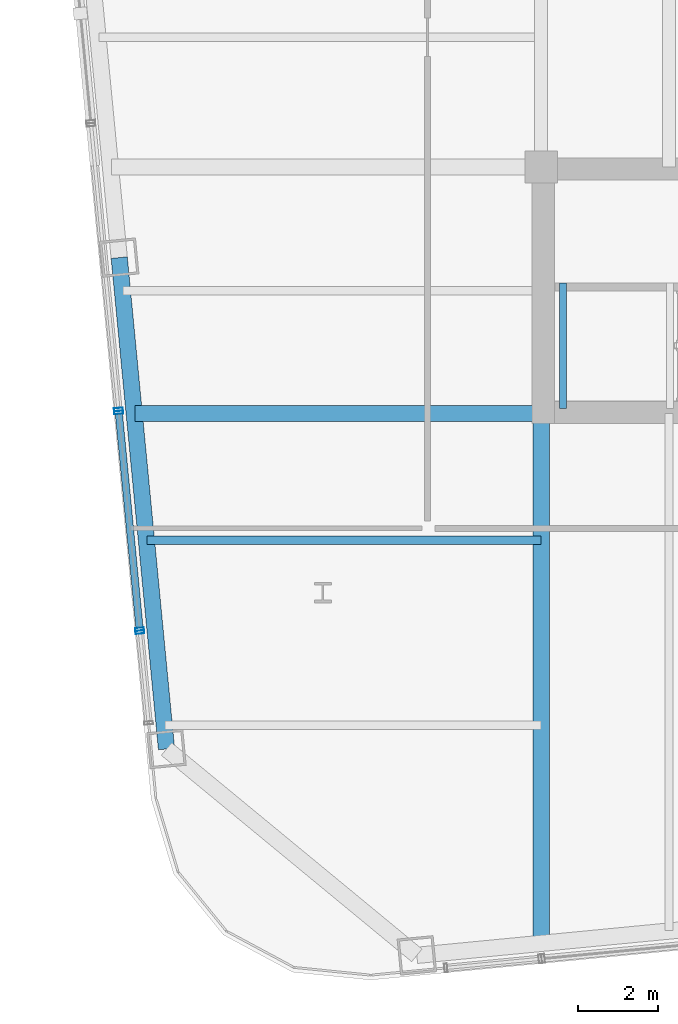
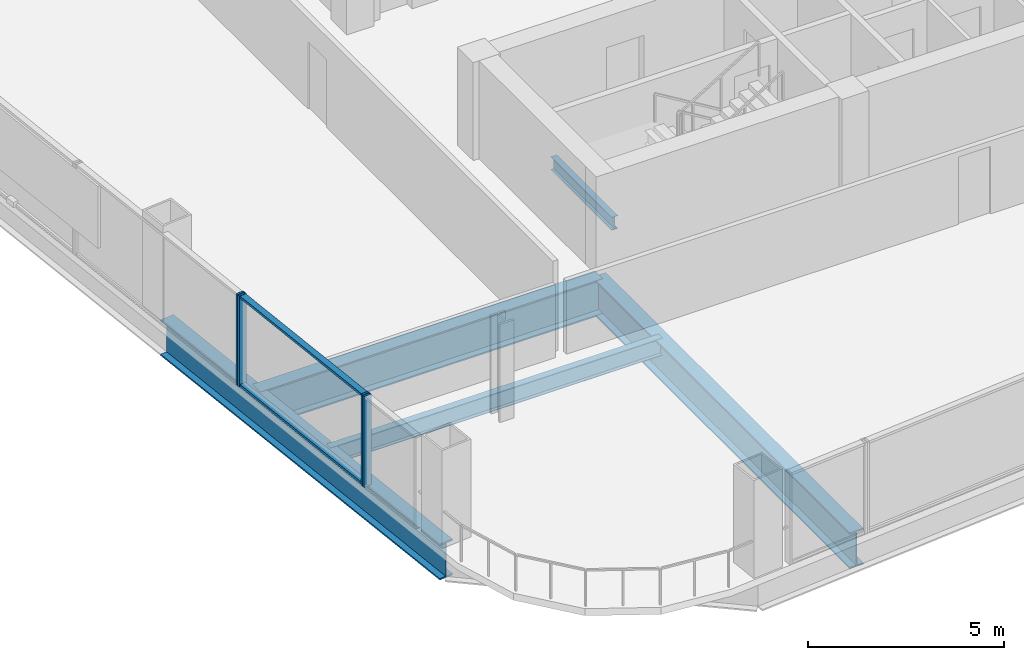
# One storey, part 3 of 26: 6 members, 5 beams, 3 elements without a shape of their own.
"""IFC4 building model written with IfcOpenShell, lengths in metres."""

from ifc_helpers import new_model, si_unit, direction, frame, origin, origin_2d, place, context, subcontext, project, spatial, hollow_rectangle, i_section, extrude, material, layer, layer_set, material_profile, profile_set, type_object, element, aggregate, save


model = new_model("IFC4")

# Units and contexts
model_context = context("Model", 3, precision=1e-05, world=origin(), true_north=direction((0.0, 1.0)))
body_context = subcontext(model_context, "Body", "Model", "MODEL_VIEW")
ifc_project = project(units=[si_unit("LENGTHUNIT", "METRE"), si_unit("AREAUNIT", "SQUARE_METRE"), si_unit("VOLUMEUNIT", "CUBIC_METRE"), si_unit("PLANEANGLEUNIT", "RADIAN"), si_unit("MASSUNIT", "GRAM", prefix="KILO")], contexts=[model_context])

# Site, building, storey
site_placement = place(None, origin())
site = spatial("IfcSite", under=ifc_project, at=site_placement, CompositionType="ELEMENT")
building_placement = place(site_placement, origin())
building = spatial("IfcBuilding", under=site, at=building_placement, Name="Qhalaya Broadcast Tower", CompositionType="ELEMENT")
storey_placement = place(building_placement, frame((0.0, 0.0, 72.5)))
storey = spatial("IfcBuildingStorey", under=building, at=storey_placement, Name="L20", CompositionType="ELEMENT", Elevation=72.5)

# Beams
ifc_material_1 = material(Name="Structural Steel ASTM A992 Grade 50", Category="steel")
ifc_material_profile_1 = material_profile(ifc_material_1, i_section(OverallWidth=0.2099609375, OverallDepth=0.535888671875, WebThickness=0.010986328125, FlangeThickness=0.017333984375, at=origin_2d()), Name="W21X68")
ifc_profile_set_1 = profile_set([ifc_material_profile_1], Name="Structural Steel ASTM A992 Grade 50")
beam_type_1 = type_object("IfcBeamType", Name="Composite Floor Joist J02", PredefinedType="JOIST", material=ifc_profile_set_1)
beam_1_placement = place(storey_placement, frame((-19.164794921875, -11.89990234375, -0.488037109375), z_axis=(1.0, 0.0, 0.0), x_axis=(0.0, 1.0, 0.0)))
element("IfcBeam", 1, at=beam_1_placement, inside=storey, type_object=beam_type_1, Name="L20 J02 L20-JWE2W-1", PredefinedType="JOIST", context=body_context, shape_type="SweptSolid", body=[
    extrude(i_section(OverallWidth=0.2099609375, OverallDepth=0.535888671875, WebThickness=0.010986328125, FlangeThickness=0.017333984375, at=origin_2d()), origin(), (0.0, 0.0, 1.0), 9.789794921875),
])
ifc_material_profile_2 = material_profile(ifc_material_1, i_section(OverallWidth=0.404052734375, OverallDepth=1.117919921875, WebThickness=0.026123046875, FlangeThickness=0.044921875, at=origin_2d()), Name="W44X335")
ifc_profile_set_2 = profile_set([ifc_material_profile_2], Name="Structural Steel ASTM A992 Grade 50")
beam_type_2 = type_object("IfcBeamType", Name="Podium Long-Span Primary Girder PG1", PredefinedType="USERDEFINED", material=ifc_profile_set_2)
beam_2_placement = place(storey_placement, frame((-19.861083984375, -4.875, -0.779052734375), z_axis=(0.095831866369, -0.995397535354, 0.0), x_axis=(0.995397535354, 0.095831866369, 0.0)))
element("IfcBeam", 2, at=beam_2_placement, inside=storey, type_object=beam_type_2, Name="L20 PG1 L20-SPR-15", ObjectType="GIRDER", PredefinedType="USERDEFINED", context=body_context, shape_type="SweptSolid", body=[
    extrude(i_section(OverallWidth=0.404052734375, OverallDepth=1.117919921875, WebThickness=0.026123046875, FlangeThickness=0.044921875, at=origin_2d()), origin(), (0.0, 0.0, 1.0), 12.2666015625),
])
beam_3_placement = place(storey_placement, frame((-9.375, -21.89501953125, -0.779052734375), z_axis=(0.0, 1.0, 0.0), x_axis=(-1.0, 0.0, 0.0)))
element("IfcBeam", 3, at=beam_3_placement, inside=storey, type_object=beam_type_2, Name="L20 PG1 L20-PGXS1-1", ObjectType="GIRDER", PredefinedType="USERDEFINED", context=body_context, shape_type="SweptSolid", body=[
    extrude(i_section(OverallWidth=0.404052734375, OverallDepth=1.117919921875, WebThickness=0.026123046875, FlangeThickness=0.044921875, at=origin_2d()), origin(), (0.0, 0.0, 1.0), 13.14501953125),
])
beam_4_placement = place(storey_placement, frame((-19.468017578125, -8.75, -0.779052734375), z_axis=(1.0, 0.0, 0.0), x_axis=(0.0, 1.0, 0.0)))
element("IfcBeam", 4, at=beam_4_placement, inside=storey, type_object=beam_type_2, Name="L20 PG1 L20-PGYW1-1", ObjectType="GIRDER", PredefinedType="USERDEFINED", context=body_context, shape_type="SweptSolid", body=[
    extrude(i_section(OverallWidth=0.404052734375, OverallDepth=1.117919921875, WebThickness=0.026123046875, FlangeThickness=0.044921875, at=origin_2d()), origin(), (0.0, 0.0, 1.0), 10.093017578125),
])

# Curtain wall, member
ifc_material_2 = material(Name="Fired Architectural Terracotta", Category="masonry")
ifc_layer_1 = layer(ifc_material_2, 0.219970703125, Name="Fired Architectural Terracotta")
ifc_layer_set_1 = layer_set([ifc_layer_1], Name="Fired Architectural Terracotta")
curtain_wall_type_1 = type_object("IfcCurtainWallType", Name="Block-Cap Unitised Terracotta Spandrel Wall CW-07", PredefinedType="NOTDEFINED", material=ifc_layer_set_1)
curtain_wall_1_placement = place(storey_placement, origin())
curtain_wall_1 = element("IfcCurtainWall", 5, at=curtain_wall_1_placement, inside=storey, type_object=curtain_wall_type_1, Name="L20 Unitised Curtain Wall L20-CW-W5", PredefinedType="NOTDEFINED")
ifc_material_3 = material(Name="Anodised Aluminium 6063-T6", Category="aluminium")
ifc_material_profile_3 = material_profile(ifc_material_3, hollow_rectangle(XDim=0.074951171875, YDim=0.219970703125, WallThickness=0.00390625, at=origin_2d()), Name="ALU-MUL 75x220x4")
ifc_profile_set_3 = profile_set([ifc_material_profile_3], Name="Anodised Aluminium 6063-T6")
member_type_1 = type_object("IfcMemberType", Name="Unitised Curtain-Wall Mullion M01", PredefinedType="MULLION", material=ifc_profile_set_3)
member_1_placement = place(storey_placement, frame((-19.879638671875, -8.647216796875, 0.0), z_axis=(0.0, 0.0, 1.0), x_axis=(0.095850652435, -0.995395726547, 0.0)))
member_1 = element("IfcMember", 6, at=member_1_placement, type_object=member_type_1, Name="CW-07 mullion 2", PredefinedType="MULLION", context=body_context, shape_type="SweptSolid", body=[
    extrude(hollow_rectangle(XDim=0.074951171875, YDim=0.219970703125, WallThickness=0.00390625, at=origin_2d()), origin(), (0.0, 0.0, 1.0), 2.830078125),
])
aggregate(curtain_wall_1, [member_1])

# Curtain wall, members
ifc_material_4 = material(Name="Solar-Control Low-E Triple Glazing", Category="glass")
ifc_layer_2 = layer(ifc_material_4, 0.219970703125, Name="Solar-Control Low-E Triple Glazing")
ifc_layer_set_2 = layer_set([ifc_layer_2], Name="Solar-Control Low-E Triple Glazing")
curtain_wall_type_2 = type_object("IfcCurtainWallType", Name="Even-Block 4-Storey Double-Module Curtain Wall CW-03", PredefinedType="NOTDEFINED", material=ifc_layer_set_2)
curtain_wall_2_placement = place(storey_placement, origin())
curtain_wall_2 = element("IfcCurtainWall", 7, at=curtain_wall_2_placement, inside=storey, type_object=curtain_wall_type_2, Name="L20 Unitised Curtain Wall L20-CW-W6", PredefinedType="NOTDEFINED")
member_2_placement = place(storey_placement, frame((-19.87255859375, -8.721923828125, 0.0), z_axis=(0.0, 0.0, 1.0), x_axis=(0.095844740112, -0.99539629585, 0.0)))
member_2 = element("IfcMember", 8, at=member_2_placement, type_object=member_type_1, Name="CW-03 mullion 1", PredefinedType="MULLION", context=body_context, shape_type="SweptSolid", body=[
    extrude(hollow_rectangle(XDim=0.074951171875, YDim=0.219970703125, WallThickness=0.00390625, at=origin_2d()), origin(), (0.0, 0.0, 1.0), 2.830078125),
])
member_3_placement = place(storey_placement, frame((-19.35400390625, -14.10791015625, 0.0), z_axis=(0.0, 0.0, 1.0), x_axis=(0.095844740112, -0.99539629585, 0.0)))
member_3 = element("IfcMember", 9, at=member_3_placement, type_object=member_type_1, Name="CW-03 mullion 2", PredefinedType="MULLION", context=body_context, shape_type="SweptSolid", body=[
    extrude(hollow_rectangle(XDim=0.074951171875, YDim=0.219970703125, WallThickness=0.00390625, at=origin_2d()), origin(), (0.0, 0.0, 1.0), 2.830078125),
])

# Curtain wall, member
curtain_wall_3_placement = place(storey_placement, origin())
curtain_wall_3 = element("IfcCurtainWall", 10, at=curtain_wall_3_placement, inside=storey, type_object=curtain_wall_type_1, Name="L20 Unitised Curtain Wall L20-CW-W7", PredefinedType="NOTDEFINED")
member_4_placement = place(storey_placement, frame((-19.3466796875, -14.1826171875, 0.0), z_axis=(0.0, 0.0, 1.0), x_axis=(0.09585164641, -0.995395630832, 0.0)))
member_4 = element("IfcMember", 11, at=member_4_placement, type_object=member_type_1, Name="CW-07 mullion 1", PredefinedType="MULLION", context=body_context, shape_type="SweptSolid", body=[
    extrude(hollow_rectangle(XDim=0.074951171875, YDim=0.219970703125, WallThickness=0.00390625, at=origin_2d()), origin(), (0.0, 0.0, 1.0), 2.830078125),
])
aggregate(curtain_wall_3, [member_4])

# Member
ifc_material_profile_4 = material_profile(ifc_material_3, hollow_rectangle(XDim=0.074951171875, YDim=0.179931640625, WallThickness=0.00390625, at=origin_2d()), Name="ALU-TRN 75x180x4")
ifc_profile_set_4 = profile_set([ifc_material_profile_4], Name="Anodised Aluminium 6063-T6")
member_type_2 = type_object("IfcMemberType", Name="Unitised Curtain-Wall Transom T01", PredefinedType="USERDEFINED", material=ifc_profile_set_4)
member_5_placement = place(storey_placement, frame((-19.868896484375, -8.75927734375, 0.03759765625), z_axis=(0.095856259068, -0.995395186646, 0.0), x_axis=(0.0, 0.0, 1.0)))
member_5 = element("IfcMember", 12, at=member_5_placement, type_object=member_type_2, Name="CW-03 transom 1.1", ObjectType="TRANSOM", PredefinedType="USERDEFINED", context=body_context, shape_type="SweptSolid", body=[
    extrude(hollow_rectangle(XDim=0.074951171875, YDim=0.179931640625, WallThickness=0.00390625, at=origin_2d()), origin(), (0.0, 0.0, 1.0), 5.3359375),
])

member_6_placement = place(storey_placement, frame((-19.868896484375, -8.75927734375, 2.79248046875), z_axis=(0.095856259068, -0.995395186646, 0.0), x_axis=(0.0, 0.0, 1.0)))
member_6 = element("IfcMember", 13, at=member_6_placement, type_object=member_type_2, Name="CW-03 transom 1.2", ObjectType="TRANSOM", PredefinedType="USERDEFINED", context=body_context, shape_type="SweptSolid", body=[
    extrude(hollow_rectangle(XDim=0.074951171875, YDim=0.179931640625, WallThickness=0.00390625, at=origin_2d()), origin(), (0.0, 0.0, 1.0), 5.3359375),
])

aggregate(curtain_wall_2, [member_2, member_3, member_5, member_6])

# Beam
ifc_material_profile_5 = material_profile(ifc_material_1, i_section(OverallWidth=0.177978515625, OverallDepth=0.406005859375, WebThickness=0.0078125, FlangeThickness=0.0126953125, at=origin_2d()), Name="W16X40")
ifc_profile_set_5 = profile_set([ifc_material_profile_5], Name="Structural Steel ASTM A992 Grade 50")
beam_type_3 = type_object("IfcBeamType", Name="Upper Perimeter Spandrel Beam SP2", PredefinedType="SPANDREL", material=ifc_profile_set_5)
beam_5_placement = place(storey_placement, frame((-8.830078125, -8.6201171875, 1.1220703125), z_axis=(0.0, 1.0, 0.0), x_axis=(-1.0, 0.0, 0.0)))
element("IfcBeam", 14, at=beam_5_placement, inside=storey, type_object=beam_type_3, Name="L20 ST-2 Half-Landing Bearer Beam 1", PredefinedType="SPANDREL", context=body_context, shape_type="SweptSolid", body=[
    extrude(i_section(OverallWidth=0.177978515625, OverallDepth=0.406005859375, WebThickness=0.0078125, FlangeThickness=0.0126953125, at=origin_2d()), origin(), (0.0, 0.0, 1.0), 3.1201171875),
])

save(model, "model.ifc")
